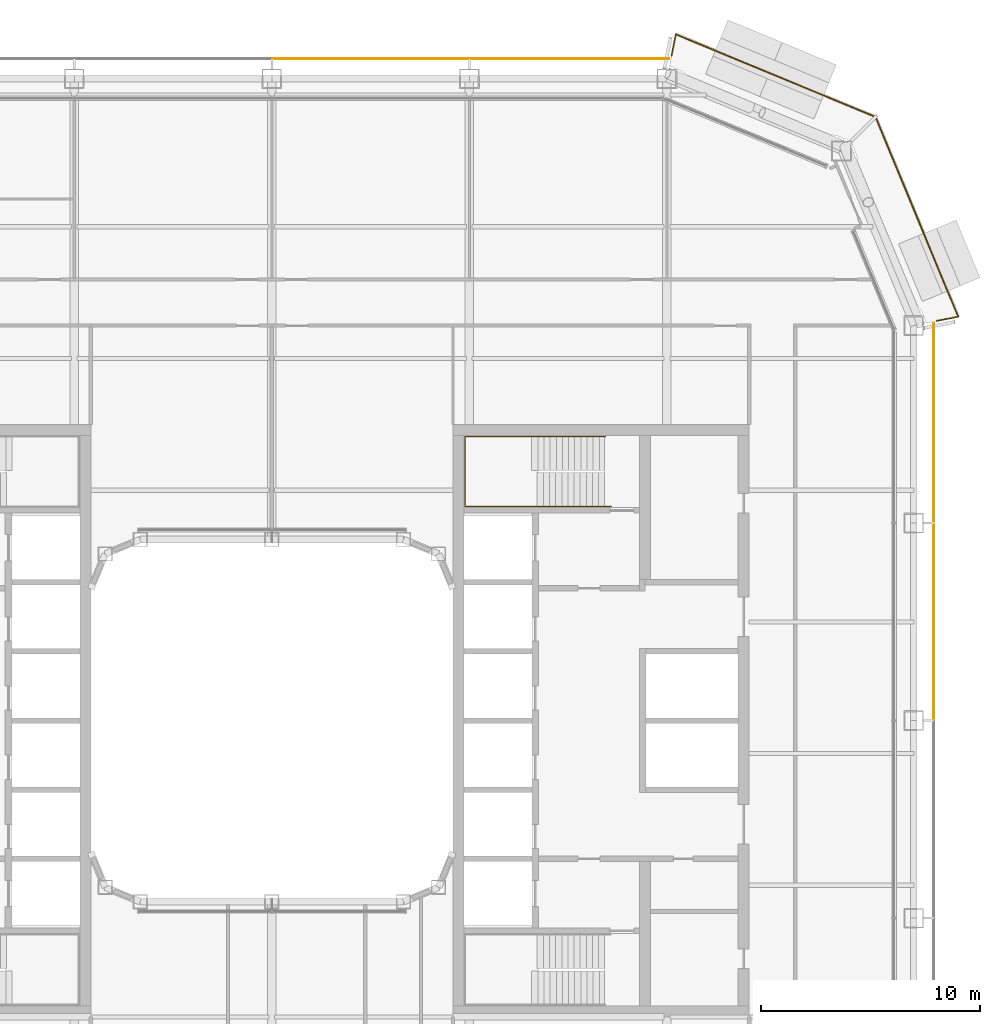
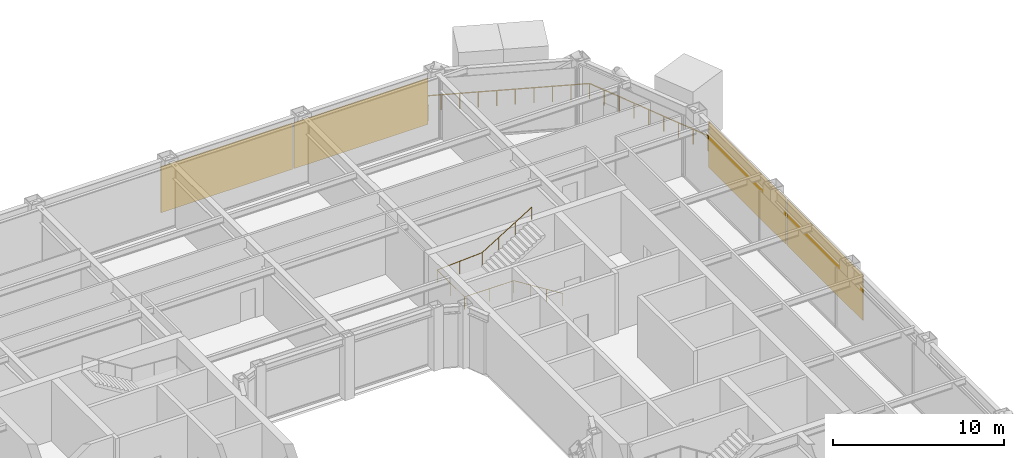
# One storey, part 22 of 23: 4 coverings, 2 railings.
"""IFC4 building model written with IfcOpenShell, lengths in metres."""

from ifc_helpers import new_model, si_unit, direction, frame, origin, origin_2d, place, context, subcontext, project, spatial, rectangle, circle, extrude, material, layer, layer_set, type_object, element, save


model = new_model("IFC4")

# Units and contexts
model_context = context("Model", 3, precision=1e-05, world=origin(), true_north=direction((0.0, 1.0)))
body_context = subcontext(model_context, "Body", "Model", "MODEL_VIEW")
ifc_project = project(units=[si_unit("LENGTHUNIT", "METRE"), si_unit("AREAUNIT", "SQUARE_METRE"), si_unit("VOLUMEUNIT", "CUBIC_METRE"), si_unit("PLANEANGLEUNIT", "RADIAN"), si_unit("MASSUNIT", "GRAM", prefix="KILO")], contexts=[model_context])

# Site, building, storey
site_placement = place(None, origin())
site = spatial("IfcSite", under=ifc_project, at=site_placement, CompositionType="ELEMENT")
building_placement = place(site_placement, origin())
building = spatial("IfcBuilding", under=site, at=building_placement, Name="Siwar Civic Tower", CompositionType="ELEMENT")
storey_placement = place(building_placement, frame((0.0, 0.0, 167.699951171875)))
storey = spatial("IfcBuildingStorey", under=building, at=storey_placement, Name="L36", CompositionType="ELEMENT", Elevation=167.699951171875)

# Railings
ifc_material_1 = material(Name="Stainless steel", Category="steel")
railing_type_1 = type_object("IfcRailingType", Name="CORE-STAIR-HANDRAIL", PredefinedType="HANDRAIL", material=ifc_material_1)
railing_1_placement = place(storey_placement, frame((15.449951171875, 9.758056640625, 0.173095703125)))
element("IfcRailing", 1, at=railing_1_placement, inside=storey, type_object=railing_type_1, Name="Stair handrail ST3", PredefinedType="HANDRAIL", context=body_context, shape_type="SweptSolid", body=[
    extrude(circle(Radius=0.02001953125, at=origin_2d()), frame((0.0, 0.0, 0.8798828125), z_axis=(-0.847063342986, 0.0, 0.531491950051), x_axis=(0.0, -1.0, 0.0)), (0.0, 0.0, 1.0), 3.90771484375),
    extrude(circle(Radius=0.02001953125, at=origin_2d()), frame((-3.31005859375, 0.0, 2.956787109375), z_axis=(-1.0, 0.0, 0.0), x_axis=(0.0, -1.0, 0.0)), (0.0, 0.0, 1.0), 3.331787109375),
    extrude(circle(Radius=0.02001953125, at=origin_2d()), frame((-6.641845703125, 0.0, 2.956787109375), z_axis=(0.0, 1.0, 0.0), x_axis=(-1.0, 0.0, 0.0)), (0.0, 0.0, 1.0), 3.183837890625),
    extrude(circle(Radius=0.02001953125, at=origin_2d()), frame((-6.641845703125, 3.183837890625, 2.956787109375), z_axis=(0.99837434197, 0.0, 0.056997134106), x_axis=(0.0, 1.0, 0.0)), (0.0, 0.0, 1.0), 3.036865234375),
    extrude(circle(Radius=0.02001953125, at=origin_2d()), frame((-3.60986328125, 3.183837890625, 3.1298828125), z_axis=(0.850606129759, 0.0, 0.525803396734), x_axis=(0.0, 1.0, 0.0)), (0.0, 0.0, 1.0), 3.949951171875),
    extrude(circle(Radius=0.02001953125, at=origin_2d()), origin(), (0.0, 0.0, 1.0), 0.85986328125),
    extrude(circle(Radius=0.02001953125, at=origin_2d()), frame((-1.103271484375, 0.0, 0.6923828125)), (0.0, 0.0, 1.0), 0.85986328125),
    extrude(circle(Radius=0.02001953125, at=origin_2d()), frame((-2.206787109375, 0.0, 1.384521484375)), (0.0, 0.0, 1.0), 0.85986328125),
    extrude(circle(Radius=0.02001953125, at=origin_2d()), frame((-3.31005859375, 0.0, 2.076904296875)), (0.0, 0.0, 1.0), 0.85986328125),
    extrude(circle(Radius=0.02001953125, at=origin_2d()), frame((-4.97607421875, 0.0, 2.076904296875)), (0.0, 0.0, 1.0), 0.85986328125),
    extrude(circle(Radius=0.02001953125, at=origin_2d()), frame((-6.641845703125, 0.0, 2.076904296875)), (0.0, 0.0, 1.0), 0.85986328125),
    extrude(circle(Radius=0.02001953125, at=origin_2d()), frame((-6.641845703125, 1.591796875, 2.076904296875)), (0.0, 0.0, 1.0), 0.85986328125),
    extrude(circle(Radius=0.02001953125, at=origin_2d()), frame((-6.641845703125, 3.183837890625, 2.076904296875)), (0.0, 0.0, 1.0), 0.85986328125),
    extrude(circle(Radius=0.02001953125, at=origin_2d()), frame((-5.1259765625, 3.183837890625, 2.16357421875)), (0.0, 0.0, 1.0), 0.85986328125),
    extrude(circle(Radius=0.02001953125, at=origin_2d()), frame((-3.60986328125, 3.183837890625, 2.25)), (0.0, 0.0, 1.0), 0.85986328125),
    extrude(circle(Radius=0.02001953125, at=origin_2d()), frame((-2.489990234375, 3.183837890625, 2.9423828125)), (0.0, 0.0, 1.0), 0.85986328125),
    extrude(circle(Radius=0.02001953125, at=origin_2d()), frame((-1.369873046875, 3.183837890625, 3.634521484375)), (0.0, 0.0, 1.0), 0.85986328125),
    extrude(circle(Radius=0.02001953125, at=origin_2d()), frame((-0.25, 3.183837890625, 4.326904296875)), (0.0, 0.0, 1.0), 0.85986328125),
])
ifc_material_2 = material(Name="Stainless steel 316", Category="steel")
railing_type_2 = type_object("IfcRailingType", Name="ENV-GUARD", PredefinedType="GUARDRAIL", material=ifc_material_2)
railing_2_placement = place(storey_placement, frame((30.297119140625, 18.208251953125, 0.0)))
element("IfcRailing", 2, at=railing_2_placement, inside=storey, type_object=railing_type_2, Name="Balcony guard NE", PredefinedType="GUARDRAIL", context=body_context, shape_type="SweptSolid", body=[
    extrude(circle(Radius=0.02392578125, at=origin_2d()), frame((0.0, 0.0, 1.076171875), z_axis=(0.980778661911, 0.195123592472, 0.0), x_axis=(-0.195123592472, 0.980778661911, 0.0)), (0.0, 0.0, 1.0), 0.993408203125),
    extrude(circle(Radius=0.02392578125, at=origin_2d()), frame((0.974365234375, 0.19384765625, 1.076171875), z_axis=(-0.38225621169, 0.924056377406, 0.0), x_axis=(-0.924056377406, -0.38225621169, 0.0)), (0.0, 0.0, 1.0), 9.851806640625),
    extrude(circle(Radius=0.02392578125, at=origin_2d()), frame((-2.79150390625, 9.29736328125, 1.076171875), z_axis=(-0.924056377406, 0.38225621169, 0.0), x_axis=(-0.38225621169, -0.924056377406, 0.0)), (0.0, 0.0, 1.0), 9.851806640625),
    extrude(circle(Radius=0.02392578125, at=origin_2d()), frame((-11.89501953125, 13.063232421875, 1.076171875), z_axis=(-0.195123592472, -0.980778661911, 0.0), x_axis=(0.980778661911, -0.195123592472, 0.0)), (0.0, 0.0, 1.0), 0.993408203125),
    extrude(circle(Radius=0.02099609375, at=origin_2d()), origin(), (0.0, 0.0, 1.0), 1.052001953125),
    extrude(circle(Radius=0.02099609375, at=origin_2d()), frame((0.974365234375, 0.19384765625, 0.0)), (0.0, 0.0, 1.0), 1.052001953125),
    extrude(circle(Radius=0.02099609375, at=origin_2d()), frame((0.555908203125, 1.205322265625, 0.0)), (0.0, 0.0, 1.0), 1.052001953125),
    extrude(circle(Radius=0.02099609375, at=origin_2d()), frame((0.137451171875, 2.216796875, 0.0)), (0.0, 0.0, 1.0), 1.052001953125),
    extrude(circle(Radius=0.02099609375, at=origin_2d()), frame((-0.281005859375, 3.228271484375, 0.0)), (0.0, 0.0, 1.0), 1.052001953125),
    extrude(circle(Radius=0.02099609375, at=origin_2d()), frame((-0.699462890625, 4.23974609375, 0.0)), (0.0, 0.0, 1.0), 1.052001953125),
    extrude(circle(Radius=0.02099609375, at=origin_2d()), frame((-1.11767578125, 5.25146484375, 0.0)), (0.0, 0.0, 1.0), 1.052001953125),
    extrude(circle(Radius=0.02099609375, at=origin_2d()), frame((-1.5361328125, 6.262939453125, 0.0)), (0.0, 0.0, 1.0), 1.052001953125),
    extrude(circle(Radius=0.02099609375, at=origin_2d()), frame((-1.95458984375, 7.2744140625, 0.0)), (0.0, 0.0, 1.0), 1.052001953125),
    extrude(circle(Radius=0.02099609375, at=origin_2d()), frame((-2.373046875, 8.285888671875, 0.0)), (0.0, 0.0, 1.0), 1.052001953125),
    extrude(circle(Radius=0.02099609375, at=origin_2d()), frame((-2.79150390625, 9.29736328125, 0.0)), (0.0, 0.0, 1.0), 1.052001953125),
    extrude(circle(Radius=0.02099609375, at=origin_2d()), frame((-3.802978515625, 9.7158203125, 0.0)), (0.0, 0.0, 1.0), 1.052001953125),
    extrude(circle(Radius=0.02099609375, at=origin_2d()), frame((-4.814453125, 10.13427734375, 0.0)), (0.0, 0.0, 1.0), 1.052001953125),
    extrude(circle(Radius=0.02099609375, at=origin_2d()), frame((-5.825927734375, 10.552734375, 0.0)), (0.0, 0.0, 1.0), 1.052001953125),
    extrude(circle(Radius=0.02099609375, at=origin_2d()), frame((-6.83740234375, 10.97119140625, 0.0)), (0.0, 0.0, 1.0), 1.052001953125),
    extrude(circle(Radius=0.02099609375, at=origin_2d()), frame((-7.84912109375, 11.389404296875, 0.0)), (0.0, 0.0, 1.0), 1.052001953125),
    extrude(circle(Radius=0.02099609375, at=origin_2d()), frame((-8.860595703125, 11.807861328125, 0.0)), (0.0, 0.0, 1.0), 1.052001953125),
    extrude(circle(Radius=0.02099609375, at=origin_2d()), frame((-9.8720703125, 12.226318359375, 0.0)), (0.0, 0.0, 1.0), 1.052001953125),
    extrude(circle(Radius=0.02099609375, at=origin_2d()), frame((-10.883544921875, 12.644775390625, 0.0)), (0.0, 0.0, 1.0), 1.052001953125),
    extrude(circle(Radius=0.02099609375, at=origin_2d()), frame((-11.89501953125, 13.063232421875, 0.0)), (0.0, 0.0, 1.0), 1.052001953125),
    extrude(circle(Radius=0.02099609375, at=origin_2d()), frame((-12.0888671875, 12.0888671875, 0.0)), (0.0, 0.0, 1.0), 1.052001953125),
])

# Coverings
ifc_material_3 = material(Name="Perforated aluminium cassette, pale metal", Category="aluminium")
ifc_layer = layer(ifc_material_3, 0.0400390625)
ifc_layer_set = layer_set([ifc_layer], Name="Perforated aluminium cassette, pale metal")
covering_type = type_object("IfcCoveringType", Name="ENV-OUTER SKIN OS-1", PredefinedType="CLADDING", material=ifc_layer_set)
covering_1_placement = place(storey_placement, frame((30.14990234375, 4.5, -0.14990234375), z_axis=(0.0, 0.0, 1.0), x_axis=(0.0, 1.0, 0.0)))
element("IfcCovering", 3, at=covering_1_placement, inside=storey, type_object=covering_type, Name="OUTER SKIN OS-1 E 3", PredefinedType="CLADDING", context=body_context, shape_type="SweptSolid", body=[
    extrude(rectangle(XDim=8.89990234375, YDim=0.0400390625, at=origin_2d()), origin(), (0.0, 0.0, 1.0), 3.300048828125),
])
for number, where, z_axis, x_axis, name in (
    (4, (30.14990234375, 13.57958984375, -0.14990234375), (0.0, 0.0, 1.0), (0.0, 1.0, 0.0), "OUTER SKIN OS-1 E 4"),
    (5, (13.57958984375, 30.14990234375, -0.14990234375), (0.0, 0.0, 1.0), (-1.0, 0.0, 0.0), "OUTER SKIN OS-1 N 1"),
):
    element("IfcCovering", number, at=place(storey_placement, frame(where, z_axis=z_axis, x_axis=x_axis)), inside=storey, type_object=covering_type, Name=name, PredefinedType="CLADDING", context=body_context, shape_type="SweptSolid", body=[
        extrude(rectangle(XDim=9.05908203125, YDim=0.0400390625, at=origin_2d()), origin(), (0.0, 0.0, 1.0), 3.300048828125),
    ])
covering_2_placement = place(storey_placement, frame((4.5, 30.14990234375, -0.14990234375), z_axis=(0.0, 0.0, 1.0), x_axis=(-1.0, 0.0, 0.0)))
element("IfcCovering", 6, at=covering_2_placement, inside=storey, type_object=covering_type, Name="OUTER SKIN OS-1 N 2", PredefinedType="CLADDING", context=body_context, shape_type="SweptSolid", body=[
    extrude(rectangle(XDim=8.89990234375, YDim=0.0400390625, at=origin_2d()), origin(), (0.0, 0.0, 1.0), 3.300048828125),
])

save(model, "model.ifc")
